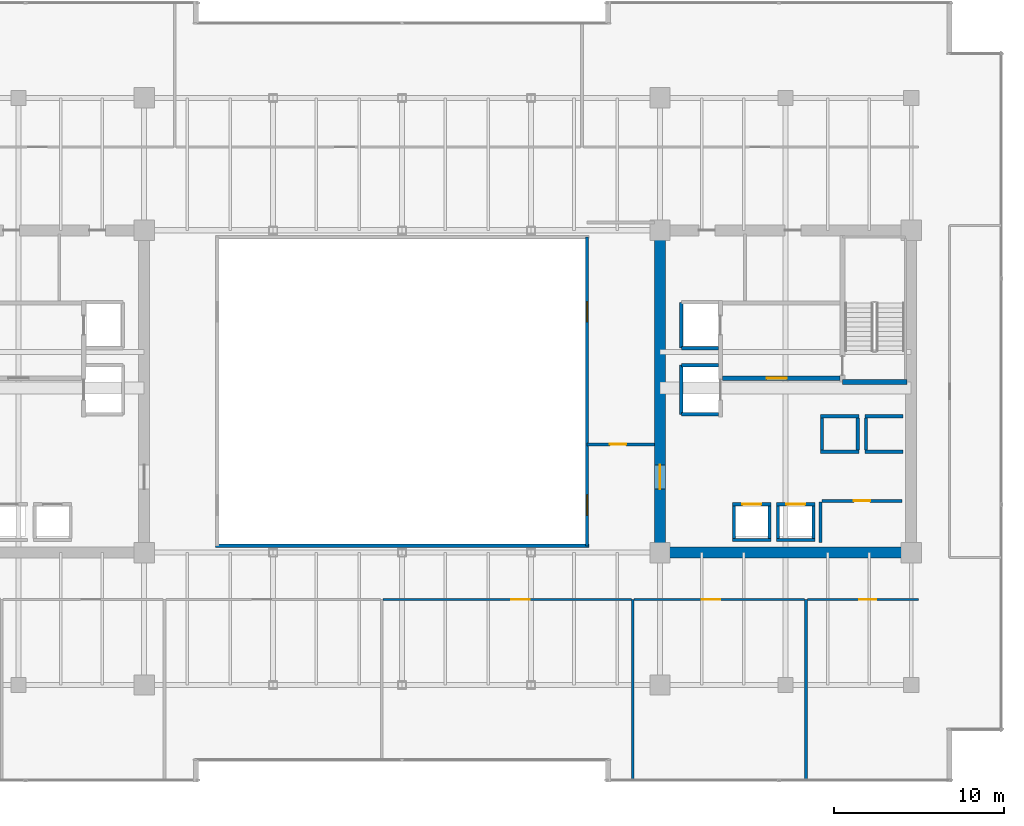
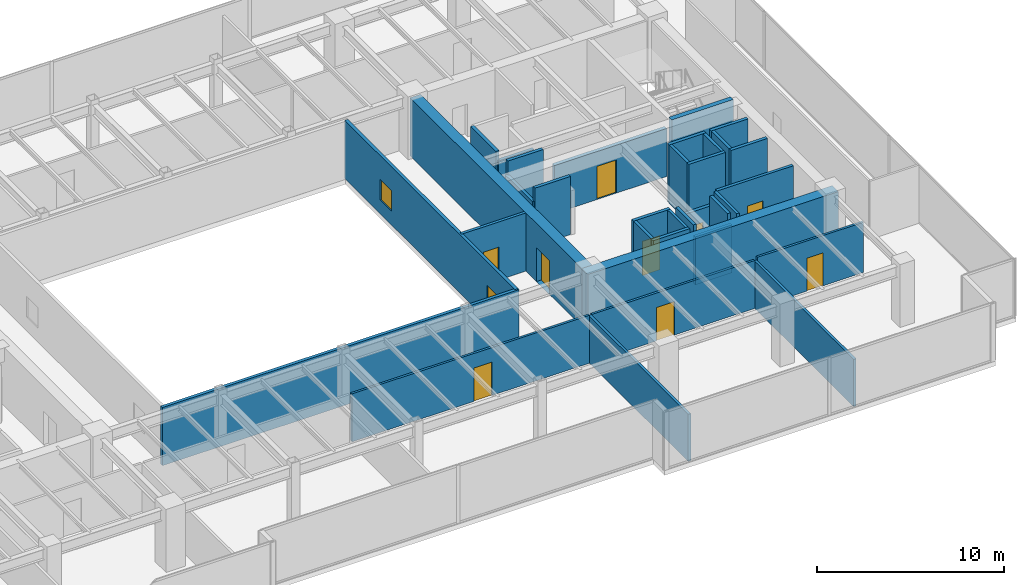
# One storey, part 26 of 30: 34 walls, 9 doors, 2 windows, 11 openings.
"""IFC4 building model written with IfcOpenShell, lengths in metres."""

from ifc_helpers import new_model, si_unit, direction, frame, frame_2d, origin, place, context, subcontext, project, spatial, rectangle, extrude, source, transform, mapped, material, layer, layer_set, type_object, type_shapes, element, fill, save


model = new_model("IFC4")

# Units and contexts
model_context = context("Model", 3, precision=1e-05, world=origin(), true_north=direction((0.0, 1.0)))
body_context = subcontext(model_context, "Body", "Model", "MODEL_VIEW")
ifc_project = project(units=[si_unit("LENGTHUNIT", "METRE"), si_unit("AREAUNIT", "SQUARE_METRE"), si_unit("VOLUMEUNIT", "CUBIC_METRE"), si_unit("PLANEANGLEUNIT", "RADIAN"), si_unit("MASSUNIT", "GRAM", prefix="KILO")], contexts=[model_context])

# Site, building, storey
site_placement = place(None, origin())
site = spatial("IfcSite", under=ifc_project, at=site_placement, CompositionType="ELEMENT")
building_placement = place(site_placement, origin())
building = spatial("IfcBuilding", under=site, at=building_placement, Name="Haelvirn Gate Laboratories", CompositionType="ELEMENT")
storey_placement = place(building_placement, frame((0.0, 0.0, 129.699951171875)))
storey = spatial("IfcBuildingStorey", under=building, at=storey_placement, Name="L31", CompositionType="ELEMENT", Elevation=129.699951171875)

# Walls
ifc_material_1 = material(Name="Double-layer acoustic gypsum laboratory partition", Category="gypsum")
ifc_layer_1 = layer(ifc_material_1, 0.159912109375, Name="IW-ACOUST-160")
ifc_layer_set_1 = layer_set([ifc_layer_1], Name="Double-layer acoustic gypsum laboratory partition")
wall_type_1 = type_object("IfcWallType", Name="IW-ACOUST-160", PredefinedType="PARTITIONING", material=ifc_layer_set_1)
for number, where, z_axis, x_axis, name in (
    (1, (51.0, 1.409912109375, 0.0), (0.0, 0.0, 1.0), (0.0, 1.0, 0.0), "L31 Interior Wall IW-L31-SDIV-04"),
    (2, (61.199951171875, 1.409912109375, 0.0), (0.0, 0.0, 1.0), (0.0, 1.0, 0.0), "L31 Interior Wall IW-L31-SDIV-05"),
):
    element("IfcWall", number, at=place(storey_placement, frame(where, z_axis=z_axis, x_axis=x_axis)), inside=storey, type_object=wall_type_1, Name=name, PredefinedType="PARTITIONING", context=body_context, shape_type="SweptSolid", body=[
        extrude(rectangle(XDim=10.630126953125, YDim=0.159912109375, at=frame_2d((5.31494140625, 0.0))), origin(), (0.0, 0.0, 1.0), 3.074951171875),
    ])

# Wall, opening, door
ifc_material_2 = material(Name="Fire-rated acoustic gypsum board partition", Category="gypsum")
ifc_layer_2 = layer(ifc_material_2, 0.175048828125, Name="IW-ACOUST-180")
ifc_layer_set_2 = layer_set([ifc_layer_2], Name="Fire-rated acoustic gypsum board partition")
wall_type_2 = type_object("IfcWallType", Name="IW-ACOUST-180", PredefinedType="PARTITIONING", material=ifc_layer_set_2)
wall_1_placement = place(storey_placement, frame((48.300048828125, 21.179931640625, 0.0), z_axis=(0.0, 0.0, 1.0), x_axis=(1.0, 0.0, 0.0)))
wall_1 = element("IfcWall", 3, at=wall_1_placement, inside=storey, type_object=wall_type_2, Name="L31 Interior Wall IW-L31-ASEM-S", PredefinedType="PARTITIONING", context=body_context, shape_type="SweptSolid", body=[
    extrude(rectangle(XDim=3.974853515625, YDim=0.175048828125, at=frame_2d((1.9873046875, 0.0))), origin(), (0.0, 0.0, 1.0), 3.7900390625),
])
opening_1_placement = place(wall_1_placement, frame((1.35009765625, 0.0, 0.0)))
opening_1 = element("IfcOpeningElement", 4, at=opening_1_placement, cuts=wall_1, Name="Opening FD4", PredefinedType="OPENING", context=body_context, shape_type="SweptSolid", body=[
    extrude(rectangle(XDim=0.949951171875, YDim=2.14990234375, at=frame_2d((0.47509765625, 1.074951171875))), frame((0.0, 0.09765625, 0.0), z_axis=(0.0, -1.0, 0.0), x_axis=(1.0, 0.0, 0.0)), (0.0, 0.0, 1.0), 0.195068359375),
])
ifc_material_3 = material(Name="Fire-rated steel SM355 core service door", Category="steel")
door_type_1 = type_object("IfcDoorType", Name="DR-FD-950", OperationType="NOTDEFINED", PredefinedType="DOOR", material=ifc_material_3)
shared_shape_1 = source(origin(), body_context, "Body", "SweptSolid", [
    extrude(rectangle(XDim=0.949951171875, YDim=2.14990234375, at=frame_2d((0.47509765625, 1.074951171875))), frame((0.0, 0.02490234375, 0.0), z_axis=(0.0, -1.0, 0.0), x_axis=(1.0, 0.0, 0.0)), (0.0, 0.0, 1.0), 0.050048828125),
])
type_shapes(door_type_1, [shared_shape_1])
door_1_placement = place(opening_1_placement, origin())
door_1 = element("IfcDoor", 5, at=door_1_placement, inside=storey, type_object=door_type_1, Name="L31 Atrium Bioinformatics Suite Door", OperationType="SINGLE_SWING_LEFT", OverallHeight=2.14990234375, OverallWidth=0.949951171875, PredefinedType="DOOR", context=body_context, shape_type="MappedRepresentation", body=[
    mapped(shared_shape_1, transform((0.0, 0.0, 0.0), scale=1.0)),
])
fill(opening_1, door_1)

# Wall, openings, windows
ifc_material_4 = material(Name="Tempered fire-rated borosilicate glass & anodised aluminium", Category="aluminium")
ifc_layer_3 = layer(ifc_material_4, 0.195068359375, Name="IW-GLAZ-200")
ifc_layer_set_3 = layer_set([ifc_layer_3], Name="Tempered fire-rated borosilicate glass & anodised aluminium")
wall_type_3 = type_object("IfcWallType", Name="IW-GLAZ-200", PredefinedType="SOLIDWALL", material=ifc_layer_set_3)
wall_2_placement = place(storey_placement, frame((48.300048828125, 15.199951171875, 0.0), z_axis=(0.0, 0.0, 1.0), x_axis=(0.0, 1.0, 0.0)))
wall_2 = element("IfcWall", 6, at=wall_2_placement, inside=storey, type_object=wall_type_3, Name="L31 Interior Wall IW-L31-ATRIUM-E", PredefinedType="SOLIDWALL", context=body_context, shape_type="SweptSolid", body=[
    extrude(rectangle(XDim=18.199951171875, YDim=0.195068359375, at=frame_2d((9.10009765625, 0.0))), origin(), (0.0, 0.0, 1.0), 3.7900390625),
])
opening_2_placement = place(wall_2_placement, frame((1.800048828125, 0.0, 0.89990234375)))
opening_2 = element("IfcOpeningElement", 7, at=opening_2_placement, cuts=wall_2, Name="Opening W6", PredefinedType="OPENING", context=body_context, shape_type="SweptSolid", body=[
    extrude(rectangle(XDim=1.199951171875, YDim=1.35009765625, at=frame_2d((0.60009765625, 0.675048828125))), frame((0.0, 0.107421875, 0.0), z_axis=(0.0, -1.0, 0.0), x_axis=(1.0, 0.0, 0.0)), (0.0, 0.0, 1.0), 0.215087890625),
])
opening_3_placement = place(wall_2_placement, frame((13.199951171875, 0.0, 0.89990234375)))
opening_3 = element("IfcOpeningElement", 8, at=opening_3_placement, cuts=wall_2, Name="Opening W6", PredefinedType="OPENING", context=body_context, shape_type="SweptSolid", body=[
    extrude(rectangle(XDim=1.199951171875, YDim=1.35009765625, at=frame_2d((0.60009765625, 0.675048828125))), frame((0.0, 0.107421875, 0.0), z_axis=(0.0, -1.0, 0.0), x_axis=(1.0, 0.0, 0.0)), (0.0, 0.0, 1.0), 0.215087890625),
])
ifc_material_5 = material(Name="Fire-rated EI 120 borosilicate atrium vision glazing", Category="glass")
window_type = type_object("IfcWindowType", Name="WN-ATR-1200", PartitioningType="SINGLE_PANEL", PredefinedType="WINDOW", material=ifc_material_5)
shared_shape_2 = source(origin(), body_context, "Body", "SweptSolid", [
    extrude(rectangle(XDim=1.199951171875, YDim=1.35009765625, at=frame_2d((0.60009765625, 0.675048828125))), frame((0.0, 0.030029296875, 0.0), z_axis=(0.0, -1.0, 0.0), x_axis=(1.0, 0.0, 0.0)), (0.0, 0.0, 1.0), 0.06005859375),
])
type_shapes(window_type, [shared_shape_2])
window_1_placement = place(opening_2_placement, origin())
window_1 = element("IfcWindow", 9, at=window_1_placement, inside=storey, type_object=window_type, Name="L31 Atrium Observation Window 1", OverallHeight=1.35009765625, OverallWidth=1.199951171875, PartitioningType="SINGLE_PANEL", PredefinedType="WINDOW", context=body_context, shape_type="MappedRepresentation", body=[
    mapped(shared_shape_2, transform((0.0, 0.0, 0.0), scale=1.0)),
])
fill(opening_2, window_1)
window_2_placement = place(opening_3_placement, origin())
window_2 = element("IfcWindow", 10, at=window_2_placement, inside=storey, type_object=window_type, Name="L31 Atrium Observation Window 2", OverallHeight=1.35009765625, OverallWidth=1.199951171875, PartitioningType="SINGLE_PANEL", PredefinedType="WINDOW", context=body_context, shape_type="MappedRepresentation", body=[
    mapped(shared_shape_2, transform((0.0, 0.0, 0.0), scale=1.0)),
])
fill(opening_3, window_2)

# Wall
wall_3_placement = place(storey_placement, frame((26.39990234375, 15.199951171875, 0.0), z_axis=(0.0, 0.0, 1.0), x_axis=(1.0, 0.0, 0.0)))
element("IfcWall", 11, at=wall_3_placement, inside=storey, type_object=wall_type_3, Name="L31 Interior Wall IW-L31-ATRIUM-S", PredefinedType="SOLIDWALL", context=body_context, shape_type="SweptSolid", body=[
    extrude(rectangle(XDim=22.0, YDim=0.195068359375, at=frame_2d((11.0, 0.0))), origin(), (0.0, 0.0, 1.0), 3.7900390625),
])

# Wall, opening, door
ifc_material_6 = material(Name="Acoustic mineral-wool gypsum board partition", Category="gypsum")
ifc_layer_4 = layer(ifc_material_6, 0.139892578125, Name="IW-PART-140")
ifc_layer_set_4 = layer_set([ifc_layer_4], Name="Acoustic mineral-wool gypsum board partition")
wall_type_4 = type_object("IfcWallType", Name="IW-PART-140", PredefinedType="PARTITIONING", material=ifc_layer_set_4)
wall_4_placement = place(storey_placement, frame((36.280029296875, 12.0400390625, 0.0), z_axis=(0.0, 0.0, 1.0), x_axis=(1.0, 0.0, 0.0)))
wall_4 = element("IfcWall", 12, at=wall_4_placement, inside=storey, type_object=wall_type_4, Name="L31 Interior Wall IW-L31-SCORR-04", PredefinedType="PARTITIONING", context=body_context, shape_type="SweptSolid", body=[
    extrude(rectangle(XDim=14.639892578125, YDim=0.139892578125, at=frame_2d((7.31982421875, 0.0))), origin(), (0.0, 0.0, 1.0), 3.125),
])
opening_4_placement = place(wall_4_placement, frame((7.540283203125, 0.0, 0.0)))
opening_4 = element("IfcOpeningElement", 13, at=opening_4_placement, cuts=wall_4, Name="Opening D1", PredefinedType="OPENING", context=body_context, shape_type="SweptSolid", body=[
    extrude(rectangle(XDim=1.10009765625, YDim=2.179931640625, at=frame_2d((0.550048828125, 1.08984375))), frame((0.0, 0.080078125, 0.0), z_axis=(0.0, -1.0, 0.0), x_axis=(1.0, 0.0, 0.0)), (0.0, 0.0, 1.0), 0.159912109375),
])
ifc_material_7 = material(Name="Vision-panel acoustic solid-core timber lab door", Category="wood")
door_type_2 = type_object("IfcDoorType", Name="DR-LAB-1100", OperationType="NOTDEFINED", PredefinedType="DOOR", material=ifc_material_7)
shared_shape_3 = source(origin(), body_context, "Body", "SweptSolid", [
    extrude(rectangle(XDim=1.10009765625, YDim=2.179931640625, at=frame_2d((0.550048828125, 1.08984375))), frame((0.0, 0.02490234375, 0.0), z_axis=(0.0, -1.0, 0.0), x_axis=(1.0, 0.0, 0.0)), (0.0, 0.0, 1.0), 0.050048828125),
])
type_shapes(door_type_2, [shared_shape_3])
door_2_placement = place(opening_4_placement, origin())
door_2 = element("IfcDoor", 14, at=door_2_placement, inside=storey, type_object=door_type_2, Name="L31 Analytical Instrument Suite Door S4", OperationType="SINGLE_SWING_LEFT", OverallHeight=2.179931640625, OverallWidth=1.10009765625, PredefinedType="DOOR", context=body_context, shape_type="MappedRepresentation", body=[
    mapped(shared_shape_3, transform((0.0, 0.0, 0.0), scale=1.0)),
])
fill(opening_4, door_2)

wall_5_placement = place(storey_placement, frame((51.080078125, 12.0400390625, 0.0), z_axis=(0.0, 0.0, 1.0), x_axis=(1.0, 0.0, 0.0)))
wall_5 = element("IfcWall", 15, at=wall_5_placement, inside=storey, type_object=wall_type_4, Name="L31 Interior Wall IW-L31-SCORR-05", PredefinedType="PARTITIONING", context=body_context, shape_type="SweptSolid", body=[
    extrude(rectangle(XDim=10.0400390625, YDim=0.139892578125, at=frame_2d((5.02001953125, 0.0))), origin(), (0.0, 0.0, 1.0), 3.125),
])
opening_5_placement = place(wall_5_placement, frame((3.9755859375, 0.0, 0.0)))
opening_5 = element("IfcOpeningElement", 16, at=opening_5_placement, cuts=wall_5, Name="Opening D1", PredefinedType="OPENING", context=body_context, shape_type="SweptSolid", body=[
    extrude(rectangle(XDim=1.10009765625, YDim=2.179931640625, at=frame_2d((0.550048828125, 1.08984375))), frame((0.0, 0.080078125, 0.0), z_axis=(0.0, -1.0, 0.0), x_axis=(1.0, 0.0, 0.0)), (0.0, 0.0, 1.0), 0.159912109375),
])
door_3_placement = place(opening_5_placement, origin())
door_3 = element("IfcDoor", 17, at=door_3_placement, inside=storey, type_object=door_type_2, Name="L31 Researcher Quiet Study Door S5", OperationType="SINGLE_SWING_RIGHT", OverallHeight=2.179931640625, OverallWidth=1.10009765625, PredefinedType="DOOR", context=body_context, shape_type="MappedRepresentation", body=[
    mapped(shared_shape_3, transform((0.0, 0.0, 0.0), scale=1.0)),
])
fill(opening_5, door_3)

wall_6_placement = place(storey_placement, frame((61.280029296875, 12.0400390625, 0.0), z_axis=(0.0, 0.0, 1.0), x_axis=(1.0, 0.0, 0.0)))
wall_6 = element("IfcWall", 18, at=wall_6_placement, inside=storey, type_object=wall_type_4, Name="L31 Interior Wall IW-L31-SCORR-06", PredefinedType="PARTITIONING", context=body_context, shape_type="SweptSolid", body=[
    extrude(rectangle(XDim=6.5400390625, YDim=0.139892578125, at=frame_2d((3.27001953125, 0.0))), origin(), (0.0, 0.0, 1.0), 3.275146484375),
])
opening_6_placement = place(wall_6_placement, frame((3.060302734375, 0.0, 0.0)))
opening_6 = element("IfcOpeningElement", 19, at=opening_6_placement, cuts=wall_6, Name="Opening D2", PredefinedType="OPENING", context=body_context, shape_type="SweptSolid", body=[
    extrude(rectangle(XDim=1.0, YDim=2.14990234375, at=frame_2d((0.5, 1.074951171875))), frame((0.0, 0.080078125, 0.0), z_axis=(0.0, -1.0, 0.0), x_axis=(1.0, 0.0, 0.0)), (0.0, 0.0, 1.0), 0.159912109375),
])
ifc_material_8 = material(Name="Acoustic solid-core timber suite door", Category="wood")
door_type_3 = type_object("IfcDoorType", Name="DR-INT-1000", OperationType="NOTDEFINED", PredefinedType="DOOR", material=ifc_material_8)
shared_shape_4 = source(origin(), body_context, "Body", "SweptSolid", [
    extrude(rectangle(XDim=1.0, YDim=2.14990234375, at=frame_2d((0.5, 1.074951171875))), frame((0.0, 0.02490234375, 0.0), z_axis=(0.0, -1.0, 0.0), x_axis=(1.0, 0.0, 0.0)), (0.0, 0.0, 1.0), 0.050048828125),
])
type_shapes(door_type_3, [shared_shape_4])
door_4_placement = place(opening_6_placement, origin())
door_4 = element("IfcDoor", 20, at=door_4_placement, inside=storey, type_object=door_type_3, Name="L31 Postdoctoral Reading Lounge Door S6", OperationType="SINGLE_SWING_LEFT", OverallHeight=2.14990234375, OverallWidth=1.0, PredefinedType="DOOR", context=body_context, shape_type="MappedRepresentation", body=[
    mapped(shared_shape_4, transform((0.0, 0.0, 0.0), scale=1.0)),
])
fill(opening_6, door_4)

# Walls
ifc_material_9 = material(Name="Concrete C40/50", Category="concrete")
ifc_layer_5 = layer(ifc_material_9, 0.179931640625, Name="IW-SHAFT-180")
ifc_layer_set_5 = layer_set([ifc_layer_5], Name="Concrete C40/50")
wall_type_5 = type_object("IfcWallType", Name="IW-SHAFT-180", PredefinedType="SOLIDWALL", material=ifc_layer_set_5)
for number, where, z_axis, x_axis, name in (
    (21, (59.550048828125, 15.64990234375, 0.0), (0.0, 0.0, 1.0), (0.0, 1.0, 0.0), "L31 Interior Wall IW-L31-PL7-SD"),
    (22, (61.64990234375, 15.64990234375, 0.0), (0.0, 0.0, 1.0), (0.0, 1.0, 0.0), "L31 Interior Wall IW-L31-PL7-SDE"),
    (23, (56.949951171875, 15.64990234375, 0.0), (0.0, 0.0, 1.0), (0.0, 1.0, 0.0), "L31 Interior Wall IW-L31-PL8-SD"),
    (24, (59.050048828125, 15.64990234375, 0.0), (0.0, 0.0, 1.0), (0.0, 1.0, 0.0), "L31 Interior Wall IW-L31-PL8-SDE"),
):
    element("IfcWall", number, at=place(storey_placement, frame(where, z_axis=z_axis, x_axis=x_axis)), inside=storey, type_object=wall_type_5, Name=name, PredefinedType="SOLIDWALL", context=body_context, shape_type="SweptSolid", body=[
        extrude(rectangle(XDim=1.900146484375, YDim=0.179931640625, at=frame_2d((0.9501953125, 0.0))), origin(), (0.0, 0.0, 1.0), 3.7900390625),
    ])
for number, where, z_axis, x_axis, name in (
    (25, (64.75, 20.85009765625, 0.0), (0.0, 0.0, 1.0), (0.0, 1.0, 0.0), "L31 Interior Wall IW-L31-PL11-SD"),
    (26, (62.14990234375, 20.85009765625, 0.0), (0.0, 0.0, 1.0), (0.0, 1.0, 0.0), "L31 Interior Wall IW-L31-PL12-SD"),
    (27, (64.25, 20.85009765625, 0.0), (0.0, 0.0, 1.0), (0.0, 1.0, 0.0), "L31 Interior Wall IW-L31-PL12-SDE"),
):
    element("IfcWall", number, at=place(storey_placement, frame(where, z_axis=z_axis, x_axis=x_axis)), inside=storey, type_object=wall_type_5, Name=name, PredefinedType="SOLIDWALL", context=body_context, shape_type="SweptSolid", body=[
        extrude(rectangle(XDim=1.89990234375, YDim=0.179931640625, at=frame_2d((0.949951171875, 0.0))), origin(), (0.0, 0.0, 1.0), 3.7900390625),
    ])

# Wall, opening, door
wall_7_placement = place(storey_placement, frame((62.14990234375, 17.85009765625, 0.0), z_axis=(0.0, 0.0, 1.0), x_axis=(1.0, 0.0, 0.0)))
wall_7 = element("IfcWall", 28, at=wall_7_placement, inside=storey, type_object=wall_type_5, Name="L31 Interior Wall IW-L31-E-FREED-LN-1", PredefinedType="SOLIDWALL", context=body_context, shape_type="SweptSolid", body=[
    extrude(rectangle(XDim=4.7001953125, YDim=0.179931640625, at=frame_2d((2.35009765625, 0.0))), origin(), (0.0, 0.0, 1.0), 3.7900390625),
])
opening_7_placement = place(wall_7_placement, frame((1.875, 0.0, 0.0)))
opening_7 = element("IfcOpeningElement", 29, at=opening_7_placement, cuts=wall_7, Name="Opening FD4", PredefinedType="OPENING", context=body_context, shape_type="SweptSolid", body=[
    extrude(rectangle(XDim=0.949951171875, YDim=2.14990234375, at=frame_2d((0.47509765625, 1.074951171875))), frame((0.0, 0.10009765625, 0.0), z_axis=(0.0, -1.0, 0.0), x_axis=(1.0, 0.0, 0.0)), (0.0, 0.0, 1.0), 0.199951171875),
])
door_5_placement = place(opening_7_placement, origin())
door_5 = element("IfcDoor", 30, at=door_5_placement, inside=storey, type_object=door_type_1, Name="L31 Cryogenic Specimen Biobank Door", OperationType="SINGLE_SWING_LEFT", OverallHeight=2.14990234375, OverallWidth=0.949951171875, PredefinedType="DOOR", context=body_context, shape_type="MappedRepresentation", body=[
    mapped(shared_shape_1, transform((0.0, 0.0, 0.0), scale=1.0)),
])
fill(opening_7, door_5)

# Wall
wall_8_placement = place(storey_placement, frame((62.06005859375, 15.39990234375, 0.0), z_axis=(0.0, 0.0, 1.0), x_axis=(0.0, 1.0, 0.0)))
element("IfcWall", 31, at=wall_8_placement, inside=storey, type_object=wall_type_5, Name="L31 Interior Wall IW-L31-E-FREED-LE-1", PredefinedType="SOLIDWALL", context=body_context, shape_type="SweptSolid", body=[
    extrude(rectangle(XDim=2.400146484375, YDim=0.179931640625, at=frame_2d((1.2001953125, 0.0))), origin(), (0.0, 0.0, 1.0), 3.7900390625),
])

# Wall, opening, door
ifc_layer_6 = layer(ifc_material_9, 0.199951171875, Name="IW-SHAFT-200")
ifc_layer_set_6 = layer_set([ifc_layer_6], Name="Concrete C40/50")
wall_type_6 = type_object("IfcWallType", Name="IW-SHAFT-200", PredefinedType="SOLIDWALL", material=ifc_layer_set_6)
wall_9_placement = place(storey_placement, frame((59.469970703125, 17.64990234375, 0.0), z_axis=(0.0, 0.0, 1.0), x_axis=(1.0, 0.0, 0.0)))
wall_9 = element("IfcWall", 32, at=wall_9_placement, inside=storey, type_object=wall_type_6, Name="L31 Interior Wall IW-L31-PL7-FR", PredefinedType="SOLIDWALL", context=body_context, shape_type="SweptSolid", body=[
    extrude(rectangle(XDim=2.260009765625, YDim=0.199951171875, at=frame_2d((1.1298828125, 0.0))), origin(), (0.0, 0.0, 1.0), 3.125),
])
opening_8_placement = place(wall_9_placement, frame((0.580078125, 0.0, 0.0)))
opening_8 = element("IfcOpeningElement", 33, at=opening_8_placement, cuts=wall_9, Name="Opening LD2", PredefinedType="OPENING", context=body_context, shape_type="SweptSolid", body=[
    extrude(rectangle(XDim=1.10009765625, YDim=2.219970703125, at=frame_2d((0.550048828125, 1.10986328125))), frame((0.0, 0.10986328125, 0.0), z_axis=(0.0, -1.0, 0.0), x_axis=(1.0, 0.0, 0.0)), (0.0, 0.0, 1.0), 0.219970703125),
])
ifc_material_10 = material(Name="Bronze stainless 316L sliding lift landing door")
door_type_4 = type_object("IfcDoorType", Name="DR-LD-1100", OperationType="NOTDEFINED", PredefinedType="USERDEFINED", material=ifc_material_10)
shared_shape_5 = source(origin(), body_context, "Body", "SweptSolid", [
    extrude(rectangle(XDim=1.10009765625, YDim=2.219970703125, at=frame_2d((0.550048828125, 1.10986328125))), frame((0.0, 0.02490234375, 0.0), z_axis=(0.0, -1.0, 0.0), x_axis=(1.0, 0.0, 0.0)), (0.0, 0.0, 1.0), 0.050048828125),
])
type_shapes(door_type_4, [shared_shape_5])
door_6_placement = place(opening_8_placement, origin())
door_6 = element("IfcDoor", 34, at=door_6_placement, inside=storey, type_object=door_type_4, Name="L31 Passenger Lift PL7 Landing Door", ObjectType="LANDING_DOOR", OperationType="SLIDING_TO_LEFT", OverallHeight=2.219970703125, OverallWidth=1.10009765625, PredefinedType="USERDEFINED", context=body_context, shape_type="MappedRepresentation", body=[
    mapped(shared_shape_5, transform((0.0, 0.0, 0.0), scale=1.0)),
])
fill(opening_8, door_6)

# Wall
wall_10_placement = place(storey_placement, frame((59.469970703125, 15.550048828125, 0.0), z_axis=(0.0, 0.0, 1.0), x_axis=(1.0, 0.0, 0.0)))
element("IfcWall", 35, at=wall_10_placement, inside=storey, type_object=wall_type_6, Name="L31 Interior Wall IW-L31-PL7-BK", PredefinedType="SOLIDWALL", context=body_context, shape_type="SweptSolid", body=[
    extrude(rectangle(XDim=2.260009765625, YDim=0.199951171875, at=frame_2d((1.1298828125, 0.0))), origin(), (0.0, 0.0, 1.0), 3.125),
])

# Wall, opening, door
wall_11_placement = place(storey_placement, frame((56.8701171875, 17.64990234375, 0.0), z_axis=(0.0, 0.0, 1.0), x_axis=(1.0, 0.0, 0.0)))
wall_11 = element("IfcWall", 36, at=wall_11_placement, inside=storey, type_object=wall_type_6, Name="L31 Interior Wall IW-L31-PL8-FR", PredefinedType="SOLIDWALL", context=body_context, shape_type="SweptSolid", body=[
    extrude(rectangle(XDim=2.259765625, YDim=0.199951171875, at=frame_2d((1.1298828125, 0.0))), origin(), (0.0, 0.0, 1.0), 3.7900390625),
])
opening_9_placement = place(wall_11_placement, frame((0.580078125, 0.0, 0.0)))
opening_9 = element("IfcOpeningElement", 37, at=opening_9_placement, cuts=wall_11, Name="Opening LD2", PredefinedType="OPENING", context=body_context, shape_type="SweptSolid", body=[
    extrude(rectangle(XDim=1.10009765625, YDim=2.219970703125, at=frame_2d((0.550048828125, 1.10986328125))), frame((0.0, 0.10986328125, 0.0), z_axis=(0.0, -1.0, 0.0), x_axis=(1.0, 0.0, 0.0)), (0.0, 0.0, 1.0), 0.219970703125),
])
door_7_placement = place(opening_9_placement, origin())
door_7 = element("IfcDoor", 38, at=door_7_placement, inside=storey, type_object=door_type_4, Name="L31 Passenger Lift PL8 Landing Door", ObjectType="LANDING_DOOR", OperationType="SLIDING_TO_RIGHT", OverallHeight=2.219970703125, OverallWidth=1.10009765625, PredefinedType="USERDEFINED", context=body_context, shape_type="MappedRepresentation", body=[
    mapped(shared_shape_5, transform((0.0, 0.0, 0.0), scale=1.0)),
])
fill(opening_9, door_7)

# Walls
wall_12_placement = place(storey_placement, frame((56.8701171875, 15.550048828125, 0.0), z_axis=(0.0, 0.0, 1.0), x_axis=(1.0, 0.0, 0.0)))
element("IfcWall", 39, at=wall_12_placement, inside=storey, type_object=wall_type_6, Name="L31 Interior Wall IW-L31-PL8-BK", PredefinedType="SOLIDWALL", context=body_context, shape_type="SweptSolid", body=[
    extrude(rectangle(XDim=2.259765625, YDim=0.199951171875, at=frame_2d((1.1298828125, 0.0))), origin(), (0.0, 0.0, 1.0), 3.7900390625),
])
for number, where, z_axis, x_axis, name in (
    (40, (64.669921875, 20.75, 0.0), (0.0, 0.0, 1.0), (1.0, 0.0, 0.0), "L31 Interior Wall IW-L31-PL11-FR"),
    (41, (64.669921875, 22.85009765625, 0.0), (0.0, 0.0, 1.0), (1.0, 0.0, 0.0), "L31 Interior Wall IW-L31-PL11-BK"),
    (42, (62.070068359375, 20.75, 0.0), (0.0, 0.0, 1.0), (1.0, 0.0, 0.0), "L31 Interior Wall IW-L31-PL12-FR"),
    (43, (62.070068359375, 22.85009765625, 0.0), (0.0, 0.0, 1.0), (1.0, 0.0, 0.0), "L31 Interior Wall IW-L31-PL12-BK"),
):
    element("IfcWall", number, at=place(storey_placement, frame(where, z_axis=z_axis, x_axis=x_axis)), inside=storey, type_object=wall_type_6, Name=name, PredefinedType="SOLIDWALL", context=body_context, shape_type="SweptSolid", body=[
        extrude(rectangle(XDim=2.260009765625, YDim=0.199951171875, at=frame_2d((1.1298828125, 0.0))), origin(), (0.0, 0.0, 1.0), 3.7900390625),
    ])
wall_13_placement = place(storey_placement, frame((53.85009765625, 26.85009765625, 0.0), z_axis=(0.0, 0.0, 1.0), x_axis=(0.0, 1.0, 0.0)))
element("IfcWall", 44, at=wall_13_placement, inside=storey, type_object=wall_type_6, Name="L31 Interior Wall IW-L31-FL2-BK", PredefinedType="SOLIDWALL", context=body_context, shape_type="SweptSolid", body=[
    extrude(rectangle(XDim=2.699951171875, YDim=0.199951171875, at=frame_2d((1.35009765625, 0.0))), origin(), (0.0, 0.0, 1.0), 3.7900390625),
])
wall_14_placement = place(storey_placement, frame((53.85009765625, 26.85009765625, 0.0), z_axis=(0.0, 0.0, 1.0), x_axis=(1.0, 0.0, 0.0)))
element("IfcWall", 45, at=wall_14_placement, inside=storey, type_object=wall_type_6, Name="L31 Interior Wall IW-L31-FL2-S", PredefinedType="SOLIDWALL", context=body_context, shape_type="SweptSolid", body=[
    extrude(rectangle(XDim=2.18994140625, YDim=0.199951171875, at=frame_2d((1.094970703125, 0.0))), origin(), (0.0, 0.0, 1.0), 3.18701171875),
])
wall_15_placement = place(storey_placement, frame((53.85009765625, 22.949951171875, 0.0), z_axis=(0.0, 0.0, 1.0), x_axis=(0.0, 1.0, 0.0)))
element("IfcWall", 46, at=wall_15_placement, inside=storey, type_object=wall_type_6, Name="L31 Interior Wall IW-L31-SL2-BK", PredefinedType="SOLIDWALL", context=body_context, shape_type="SweptSolid", body=[
    extrude(rectangle(XDim=2.900146484375, YDim=0.199951171875, at=frame_2d((1.4501953125, 0.0))), origin(), (0.0, 0.0, 1.0), 2.875),
])
for number, where, z_axis, x_axis, name in (
    (47, (53.85009765625, 25.85009765625, 0.0), (0.0, 0.0, 1.0), (1.0, 0.0, 0.0), "L31 Interior Wall IW-L31-SL2-N"),
    (48, (53.85009765625, 22.949951171875, 0.0), (0.0, 0.0, 1.0), (1.0, 0.0, 0.0), "L31 Interior Wall IW-L31-SL2-S"),
):
    element("IfcWall", number, at=place(storey_placement, frame(where, z_axis=z_axis, x_axis=x_axis)), inside=storey, type_object=wall_type_6, Name=name, PredefinedType="SOLIDWALL", context=body_context, shape_type="SweptSolid", body=[
        extrude(rectangle(XDim=2.18994140625, YDim=0.199951171875, at=frame_2d((1.094970703125, 0.0))), origin(), (0.0, 0.0, 1.0), 3.7900390625),
    ])

# Wall, opening, door
ifc_layer_7 = layer(ifc_material_9, 0.239990234375, Name="IW-SHAFT-240")
ifc_layer_set_7 = layer_set([ifc_layer_7], Name="Concrete C40/50")
wall_type_7 = type_object("IfcWallType", Name="IW-SHAFT-240", PredefinedType="SOLIDWALL", material=ifc_layer_set_7)
wall_16_placement = place(storey_placement, frame((56.280029296875, 25.080078125, 0.0), z_axis=(0.0, 0.0, 1.0), x_axis=(1.0, 0.0, 0.0)))
wall_16 = element("IfcWall", 49, at=wall_16_placement, inside=storey, type_object=wall_type_7, Name="L31 Interior Wall IW-L31-E-FF-S", PredefinedType="SOLIDWALL", context=body_context, shape_type="SweptSolid", body=[
    extrude(rectangle(XDim=6.919921875, YDim=0.239990234375, at=frame_2d((3.4599609375, 0.0))), origin(), (0.0, 0.0, 1.0), 3.125),
])
opening_10_placement = place(wall_16_placement, frame((2.60009765625, 0.0, 0.0)))
opening_10 = element("IfcOpeningElement", 50, at=opening_10_placement, cuts=wall_16, Name="Opening FD2", PredefinedType="OPENING", context=body_context, shape_type="SweptSolid", body=[
    extrude(rectangle(XDim=1.199951171875, YDim=2.159912109375, at=frame_2d((0.60009765625, 1.080078125))), frame((0.0, 0.1298828125, 0.0), z_axis=(0.0, -1.0, 0.0), x_axis=(1.0, 0.0, 0.0)), (0.0, 0.0, 1.0), 0.260009765625),
])
ifc_material_11 = material(Name="Fire-rated steel SM355 compartment door", Category="steel")
door_type_5 = type_object("IfcDoorType", Name="DR-FD-1200", OperationType="NOTDEFINED", PredefinedType="DOOR", material=ifc_material_11)
shared_shape_6 = source(origin(), body_context, "Body", "SweptSolid", [
    extrude(rectangle(XDim=1.199951171875, YDim=2.159912109375, at=frame_2d((0.60009765625, 1.080078125))), frame((0.0, 0.02490234375, 0.0), z_axis=(0.0, -1.0, 0.0), x_axis=(1.0, 0.0, 0.0)), (0.0, 0.0, 1.0), 0.050048828125),
])
type_shapes(door_type_5, [shared_shape_6])
door_8_placement = place(opening_10_placement, origin())
door_8 = element("IfcDoor", 51, at=door_8_placement, inside=storey, type_object=door_type_5, Name="L31 East Firefighting Lobby Door", OperationType="SINGLE_SWING_LEFT", OverallHeight=2.159912109375, OverallWidth=1.199951171875, PredefinedType="DOOR", context=body_context, shape_type="MappedRepresentation", body=[
    mapped(shared_shape_6, transform((0.0, 0.0, 0.0), scale=1.0)),
])
fill(opening_10, door_8)

# Wall
ifc_material_12 = material(Name="Concrete C60/75", Category="concrete")
ifc_layer_8 = layer(ifc_material_12, 0.64990234375, Name="SW-CORE-650")
ifc_layer_set_8 = layer_set([ifc_layer_8], Name="Concrete C60/75")
wall_type_8 = type_object("IfcWallType", Name="SW-CORE-650", PredefinedType="SHEAR", material=ifc_layer_set_8)
wall_17_placement = place(storey_placement, frame((52.27490234375, 14.800048828125, 0.0), z_axis=(0.0, 0.0, 1.0), x_axis=(1.0, 0.0, 0.0)))
element("IfcWall", 52, at=wall_17_placement, inside=storey, type_object=wall_type_8, Name="L31 E Core Shear Wall S", PredefinedType="SHEAR", context=body_context, shape_type="SweptSolid", body=[
    extrude(rectangle(XDim=15.4501953125, YDim=0.64990234375, at=frame_2d((7.72509765625, 0.0))), origin(), (0.0, 0.0, 1.0), 3.7900390625),
])

# Wall, opening, door
wall_18_placement = place(storey_placement, frame((52.60009765625, 15.125, 0.0), z_axis=(0.0, 0.0, 1.0), x_axis=(0.0, 1.0, 0.0)))
wall_18 = element("IfcWall", 53, at=wall_18_placement, inside=storey, type_object=wall_type_8, Name="L31 E Core Shear Wall W", PredefinedType="SHEAR", context=body_context, shape_type="SweptSolid", body=[
    extrude(rectangle(XDim=18.35009765625, YDim=0.64990234375, at=frame_2d((9.175048828125, 0.0))), origin(), (0.0, 0.0, 1.0), 3.7900390625),
])
opening_11_placement = place(wall_18_placement, frame((3.425048828125, 0.0, 0.0)))
opening_11 = element("IfcOpeningElement", 54, at=opening_11_placement, cuts=wall_18, Name="Opening FD1", PredefinedType="OPENING", context=body_context, shape_type="SweptSolid", body=[
    extrude(rectangle(XDim=1.419921875, YDim=2.199951171875, at=frame_2d((0.7099609375, 1.10009765625))), frame((0.0, 0.3349609375, 0.0), z_axis=(0.0, -1.0, 0.0), x_axis=(1.0, 0.0, 0.0)), (0.0, 0.0, 1.0), 0.669921875),
])
ifc_material_13 = material(Name="Fire-rated double steel SM355 lobby door", Category="steel")
door_type_6 = type_object("IfcDoorType", Name="DR-FD-1400", OperationType="NOTDEFINED", PredefinedType="DOOR", material=ifc_material_13)
shared_shape_7 = source(origin(), body_context, "Body", "SweptSolid", [
    extrude(rectangle(XDim=1.419921875, YDim=2.199951171875, at=frame_2d((0.7099609375, 1.10009765625))), frame((0.0, 0.02490234375, 0.0), z_axis=(0.0, -1.0, 0.0), x_axis=(1.0, 0.0, 0.0)), (0.0, 0.0, 1.0), 0.050048828125),
])
type_shapes(door_type_6, [shared_shape_7])
door_9_placement = place(opening_11_placement, origin())
door_9 = element("IfcDoor", 55, at=door_9_placement, inside=storey, type_object=door_type_6, Name="L31 East Core Lift Lobby Fire Door", OperationType="DOUBLE_DOOR_SINGLE_SWING", OverallHeight=2.199951171875, OverallWidth=1.419921875, PredefinedType="DOOR", context=body_context, shape_type="MappedRepresentation", body=[
    mapped(shared_shape_7, transform((0.0, 0.0, 0.0), scale=1.0)),
])
fill(opening_11, door_9)

# Wall
ifc_material_14 = material(Name="Concrete C50/60", Category="concrete")
ifc_layer_9 = layer(ifc_material_14, 0.300048828125, Name="SW-STAIR-300")
ifc_layer_set_9 = layer_set([ifc_layer_9], Name="Concrete C50/60")
wall_type_9 = type_object("IfcWallType", Name="SW-STAIR-300", PredefinedType="SHEAR", material=ifc_layer_set_9)
wall_19_placement = place(storey_placement, frame((63.35009765625, 24.85009765625, 0.0), z_axis=(0.0, 0.0, 1.0), x_axis=(1.0, 0.0, 0.0)))
element("IfcWall", 56, at=wall_19_placement, inside=storey, type_object=wall_type_9, Name="L31 E Core Stair Shaft Structural Wall S", PredefinedType="SHEAR", context=body_context, shape_type="SweptSolid", body=[
    extrude(rectangle(XDim=3.7998046875, YDim=0.300048828125, at=frame_2d((1.89990234375, 0.0))), origin(), (0.0, 0.0, 1.0), 3.7900390625),
])

save(model, "model.ifc")
